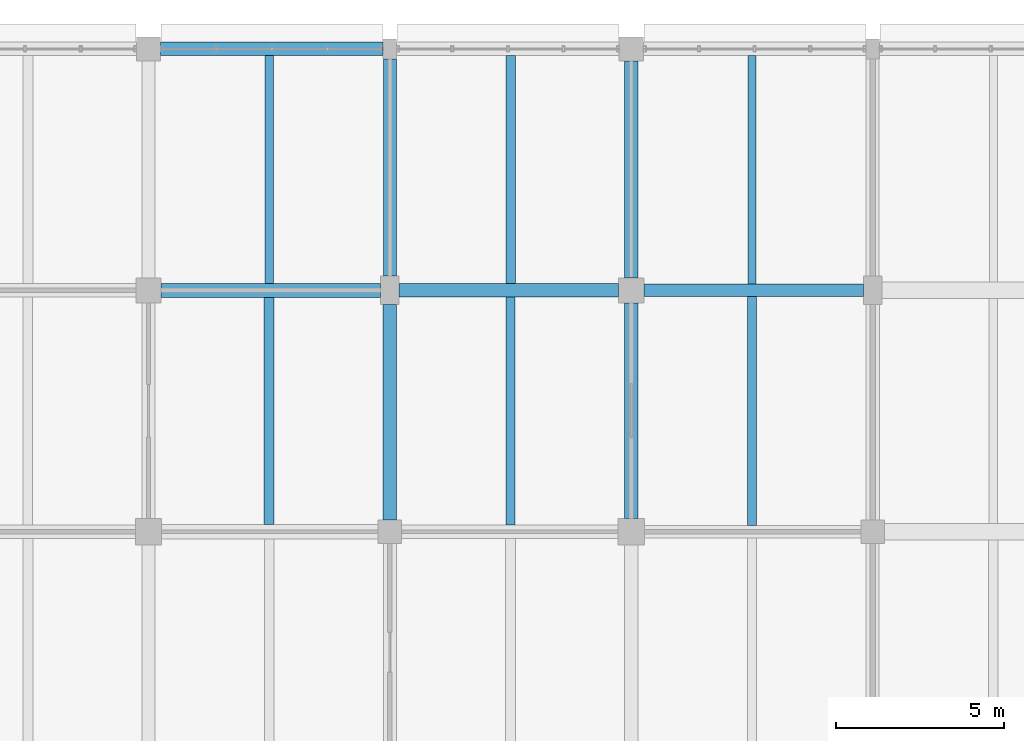
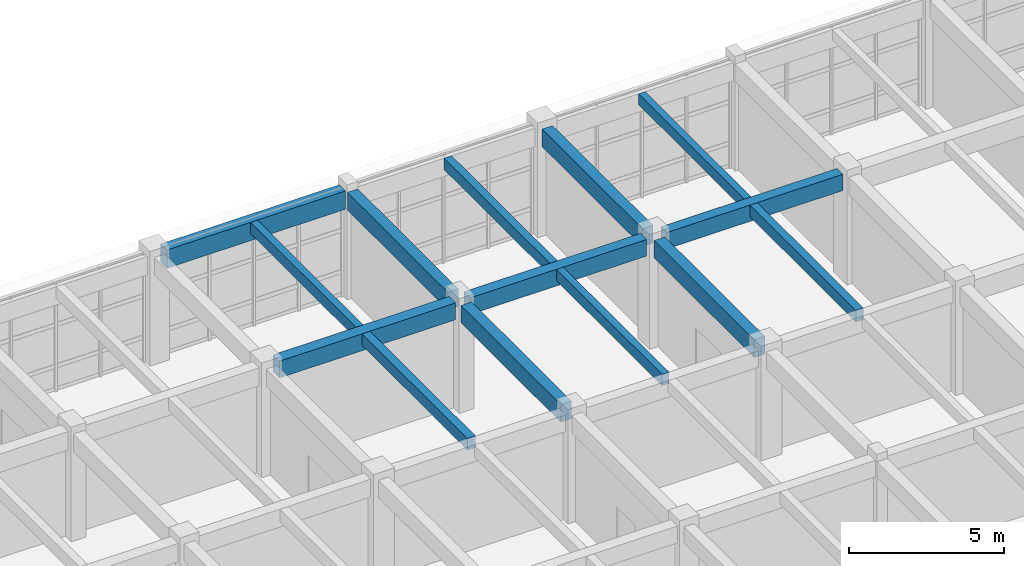
# One storey, part 84 of 171: 14 beams.
"""IFC4 building model written with IfcOpenShell, lengths in metres."""

from ifc_helpers import new_model, si_unit, direction, frame, origin, origin_2d, place, context, subcontext, project, spatial, rectangle, extrude, material, material_profile, profile_set, type_object, element, save


model = new_model("IFC4")

# Units and contexts
model_context = context("Model", 3, precision=1e-05, world=origin(), true_north=direction((0.0, 1.0)))
body_context = subcontext(model_context, "Body", "Model", "MODEL_VIEW")
ifc_project = project(units=[si_unit("LENGTHUNIT", "METRE"), si_unit("AREAUNIT", "SQUARE_METRE"), si_unit("VOLUMEUNIT", "CUBIC_METRE"), si_unit("PLANEANGLEUNIT", "RADIAN"), si_unit("MASSUNIT", "GRAM", prefix="KILO")], contexts=[model_context])

# Site, building, storey
site_placement = place(None, origin())
site = spatial("IfcSite", under=ifc_project, at=site_placement, CompositionType="ELEMENT")
building_placement = place(site_placement, origin())
building = spatial("IfcBuilding", under=site, at=building_placement, Name="Thalmaran Polytechnic", CompositionType="ELEMENT")
storey_placement = place(building_placement, frame((0.0, 0.0, 5.39990234375)))
storey = spatial("IfcBuildingStorey", under=building, at=storey_placement, Name="L01", CompositionType="ELEMENT", Elevation=5.39990234375)

# Beams
ifc_material = material(Name="Concrete C40/50", Category="concrete")
ifc_material_profile_1 = material_profile(ifc_material, rectangle(XDim=0.39990234375, YDim=0.64990234375, at=origin_2d()), Name="RC 400x650")
ifc_profile_set_1 = profile_set([ifc_material_profile_1], Name="Concrete C40/50")
beam_type_1 = type_object("IfcBeamType", Name="BM-RC06", PredefinedType="BEAM", material=ifc_profile_set_1)
beam_1_placement = place(storey_placement, frame((115.47509765625, 115.199951171875, 3.885009765625), z_axis=(1.0, 0.0, 0.0), x_axis=(0.0, 1.0, 0.0)))
element("IfcBeam", 1, at=beam_1_placement, inside=storey, type_object=beam_type_1, Name="Grid Beam B06 L01 X(16,16)", PredefinedType="BEAM", context=body_context, shape_type="SweptSolid", body=[
    extrude(rectangle(XDim=0.39990234375, YDim=0.64990234375, at=origin_2d()), origin(), (0.0, 0.0, 1.0), 6.5498046875),
])
ifc_material_profile_2 = material_profile(ifc_material, rectangle(XDim=0.389892578125, YDim=0.68994140625, at=origin_2d()), Name="RC 390x690")
ifc_profile_set_2 = profile_set([ifc_material_profile_2], Name="Concrete C40/50")
beam_type_2 = type_object("IfcBeamType", Name="BM-RC09", PredefinedType="BEAM", material=ifc_profile_set_2)
beam_2_placement = place(storey_placement, frame((115.199951171875, 115.625, 3.864990234375), z_axis=(0.0, 1.0, 0.0), x_axis=(-1.0, 0.0, 0.0)))
element("IfcBeam", 2, at=beam_2_placement, inside=storey, type_object=beam_type_2, Name="Grid Beam B09 L01 Y(16,16)", PredefinedType="BEAM", context=body_context, shape_type="SweptSolid", body=[
    extrude(rectangle(XDim=0.389892578125, YDim=0.68994140625, at=origin_2d()), origin(), (0.0, 0.0, 1.0), 6.47509765625),
])
beam_3_placement = place(storey_placement, frame((122.39990234375, 115.574951171875, 3.864990234375), z_axis=(0.0, 1.0, 0.0), x_axis=(-1.0, 0.0, 0.0)))
element("IfcBeam", 3, at=beam_3_placement, inside=storey, type_object=beam_type_2, Name="Grid Beam B09 L01 Y(17,16)", PredefinedType="BEAM", context=body_context, shape_type="SweptSolid", body=[
    extrude(rectangle(XDim=0.389892578125, YDim=0.68994140625, at=origin_2d()), origin(), (0.0, 0.0, 1.0), 6.465087890625),
])
ifc_material_profile_3 = material_profile(ifc_material, rectangle(XDim=0.300048828125, YDim=0.449951171875, at=origin_2d()), Name="RC 300x450")
ifc_profile_set_3 = profile_set([ifc_material_profile_3], Name="Concrete C40/50")
beam_type_3 = type_object("IfcBeamType", Name="BM-RC12", PredefinedType="JOIST", material=ifc_profile_set_3)
beam_4_placement = place(storey_placement, frame((111.60009765625, 108.2099609375, 3.985107421875), z_axis=(0.0, 1.0, 0.0), x_axis=(-1.0, 0.0, 0.0)))
element("IfcBeam", 4, at=beam_4_placement, inside=storey, type_object=beam_type_3, Name="Secondary Floor Rib RB02 L01 (15,15)", PredefinedType="JOIST", context=body_context, shape_type="SweptSolid", body=[
    extrude(rectangle(XDim=0.300048828125, YDim=0.449951171875, at=origin_2d()), origin(), (0.0, 0.0, 1.0), 6.780029296875),
])
ifc_material_profile_4 = material_profile(ifc_material, rectangle(XDim=0.280029296875, YDim=0.449951171875, at=origin_2d()), Name="RC 280x450")
ifc_profile_set_4 = profile_set([ifc_material_profile_4], Name="Concrete C40/50")
beam_type_4 = type_object("IfcBeamType", Name="BM-RC13", PredefinedType="JOIST", material=ifc_profile_set_4)
beam_5_placement = place(storey_placement, frame((118.800048828125, 115.39990234375, 3.985107421875), z_axis=(0.0, 1.0, 0.0), x_axis=(-1.0, 0.0, 0.0)))
element("IfcBeam", 5, at=beam_5_placement, inside=storey, type_object=beam_type_4, Name="Secondary Floor Rib RB03 L01 (16,16)", PredefinedType="JOIST", context=body_context, shape_type="SweptSolid", body=[
    extrude(rectangle(XDim=0.280029296875, YDim=0.449951171875, at=origin_2d()), origin(), (0.0, 0.0, 1.0), 6.800048828125),
])
beam_6_placement = place(storey_placement, frame((126.0, 108.18994140625, 3.985107421875), z_axis=(0.0, 1.0, 0.0), x_axis=(-1.0, 0.0, 0.0)))
element("IfcBeam", 6, at=beam_6_placement, inside=storey, type_object=beam_type_4, Name="Secondary Floor Rib RB03 L01 (17,15)", PredefinedType="JOIST", context=body_context, shape_type="SweptSolid", body=[
    extrude(rectangle(XDim=0.280029296875, YDim=0.449951171875, at=origin_2d()), origin(), (0.0, 0.0, 1.0), 6.820068359375),
])
ifc_material_profile_5 = material_profile(ifc_material, rectangle(XDim=0.39990234375, YDim=0.719970703125, at=origin_2d()), Name="RC 400x720")
ifc_profile_set_5 = profile_set([ifc_material_profile_5], Name="Concrete C40/50")
beam_type_5 = type_object("IfcBeamType", Name="BM-SP01", PredefinedType="SPANDREL", material=ifc_profile_set_5)
beam_7_placement = place(storey_placement, frame((108.360107421875, 122.39990234375, 3.85009765625), z_axis=(1.0, 0.0, 0.0), x_axis=(0.0, 1.0, 0.0)))
element("IfcBeam", 7, at=beam_7_placement, inside=storey, type_object=beam_type_5, Name="Grid Beam SP01 L01 X(15,17)", PredefinedType="SPANDREL", context=body_context, shape_type="SweptSolid", body=[
    extrude(rectangle(XDim=0.39990234375, YDim=0.719970703125, at=origin_2d()), origin(), (0.0, 0.0, 1.0), 6.639892578125),
])
ifc_material_profile_6 = material_profile(ifc_material, rectangle(XDim=0.419921875, YDim=0.659912109375, at=origin_2d()), Name="RC 420x660")
ifc_profile_set_6 = profile_set([ifc_material_profile_6], Name="Concrete C40/50")
beam_type_6 = type_object("IfcBeamType", Name="BM-ZB04", PredefinedType="BEAM", material=ifc_profile_set_6)
beam_8_placement = place(storey_placement, frame((108.375, 115.199951171875, 3.880126953125), z_axis=(1.0, 0.0, 0.0), x_axis=(0.0, 1.0, 0.0)))
element("IfcBeam", 8, at=beam_8_placement, inside=storey, type_object=beam_type_6, Name="Grid Beam ZB04 L01 X(15,16)", PredefinedType="BEAM", context=body_context, shape_type="SweptSolid", body=[
    extrude(rectangle(XDim=0.419921875, YDim=0.659912109375, at=origin_2d()), origin(), (0.0, 0.0, 1.0), 6.550048828125),
])
ifc_material_profile_7 = material_profile(ifc_material, rectangle(XDim=0.3798828125, YDim=0.639892578125, at=origin_2d()), Name="RC 380x640")
ifc_profile_set_7 = profile_set([ifc_material_profile_7], Name="Concrete C40/50")
beam_type_7 = type_object("IfcBeamType", Name="BM-ZB05", PredefinedType="BEAM", material=ifc_profile_set_7)
beam_9_placement = place(storey_placement, frame((122.77490234375, 115.199951171875, 3.89013671875), z_axis=(1.0, 0.0, 0.0), x_axis=(0.0, 1.0, 0.0)))
element("IfcBeam", 9, at=beam_9_placement, inside=storey, type_object=beam_type_7, Name="Grid Beam ZB05 L01 X(17,16)", PredefinedType="BEAM", context=body_context, shape_type="SweptSolid", body=[
    extrude(rectangle(XDim=0.3798828125, YDim=0.639892578125, at=origin_2d()), origin(), (0.0, 0.0, 1.0), 6.550048828125),
])
ifc_material_profile_8 = material_profile(ifc_material, rectangle(XDim=0.39990234375, YDim=0.68505859375, at=origin_2d()), Name="RC 400x685")
ifc_profile_set_8 = profile_set([ifc_material_profile_8], Name="Concrete C40/50")
beam_type_8 = type_object("IfcBeamType", Name="BM-ZB07", PredefinedType="BEAM", material=ifc_profile_set_8)
beam_10_placement = place(storey_placement, frame((115.199951171875, 108.35009765625, 3.86767578125), z_axis=(0.0, 1.0, 0.0), x_axis=(-1.0, 0.0, 0.0)))
element("IfcBeam", 10, at=beam_10_placement, inside=storey, type_object=beam_type_8, Name="Grid Beam ZB07 L01 Y(16,15)", PredefinedType="BEAM", context=body_context, shape_type="SweptSolid", body=[
    extrude(rectangle(XDim=0.39990234375, YDim=0.68505859375, at=origin_2d()), origin(), (0.0, 0.0, 1.0), 6.4248046875),
])
beam_11_placement = place(storey_placement, frame((122.39990234375, 108.389892578125, 3.86767578125), z_axis=(0.0, 1.0, 0.0), x_axis=(-1.0, 0.0, 0.0)))
element("IfcBeam", 11, at=beam_11_placement, inside=storey, type_object=beam_type_8, Name="Grid Beam ZB07 L01 Y(17,15)", PredefinedType="BEAM", context=body_context, shape_type="SweptSolid", body=[
    extrude(rectangle(XDim=0.39990234375, YDim=0.68505859375, at=origin_2d()), origin(), (0.0, 0.0, 1.0), 6.43505859375),
])
ifc_material_profile_9 = material_profile(ifc_material, rectangle(XDim=0.260009765625, YDim=0.43994140625, at=origin_2d()), Name="RC 260x440")
ifc_profile_set_9 = profile_set([ifc_material_profile_9], Name="Concrete C40/50")
beam_type_9 = type_object("IfcBeamType", Name="BM-ZJ02", PredefinedType="JOIST", material=ifc_profile_set_9)
beam_12_placement = place(storey_placement, frame((111.60009765625, 115.409912109375, 3.989990234375), z_axis=(0.0, 1.0, 0.0), x_axis=(-1.0, 0.0, 0.0)))
element("IfcBeam", 12, at=beam_12_placement, inside=storey, type_object=beam_type_9, Name="Secondary Floor Rib ZJ02 L01 (15,16)", PredefinedType="JOIST", context=body_context, shape_type="SweptSolid", body=[
    extrude(rectangle(XDim=0.260009765625, YDim=0.43994140625, at=origin_2d()), origin(), (0.0, 0.0, 1.0), 6.7900390625),
])
beam_13_placement = place(storey_placement, frame((118.800048828125, 108.199951171875, 3.989990234375), z_axis=(0.0, 1.0, 0.0), x_axis=(-1.0, 0.0, 0.0)))
element("IfcBeam", 13, at=beam_13_placement, inside=storey, type_object=beam_type_9, Name="Secondary Floor Rib ZJ02 L01 (16,15)", PredefinedType="JOIST", context=body_context, shape_type="SweptSolid", body=[
    extrude(rectangle(XDim=0.260009765625, YDim=0.43994140625, at=origin_2d()), origin(), (0.0, 0.0, 1.0), 6.800048828125),
])
ifc_material_profile_10 = material_profile(ifc_material, rectangle(XDim=0.25, YDim=0.419921875, at=origin_2d()), Name="RC 250x420")
ifc_profile_set_10 = profile_set([ifc_material_profile_10], Name="Concrete C40/50")
beam_type_10 = type_object("IfcBeamType", Name="BM-ZJ03", PredefinedType="JOIST", material=ifc_profile_set_10)
beam_14_placement = place(storey_placement, frame((126.0, 115.389892578125, 4.0), z_axis=(0.0, 1.0, 0.0), x_axis=(-1.0, 0.0, 0.0)))
element("IfcBeam", 14, at=beam_14_placement, inside=storey, type_object=beam_type_10, Name="Secondary Floor Rib ZJ03 L01 (17,16)", PredefinedType="JOIST", context=body_context, shape_type="SweptSolid", body=[
    extrude(rectangle(XDim=0.25, YDim=0.419921875, at=origin_2d()), origin(), (0.0, 0.0, 1.0), 6.81005859375),
])

save(model, "model.ifc")
